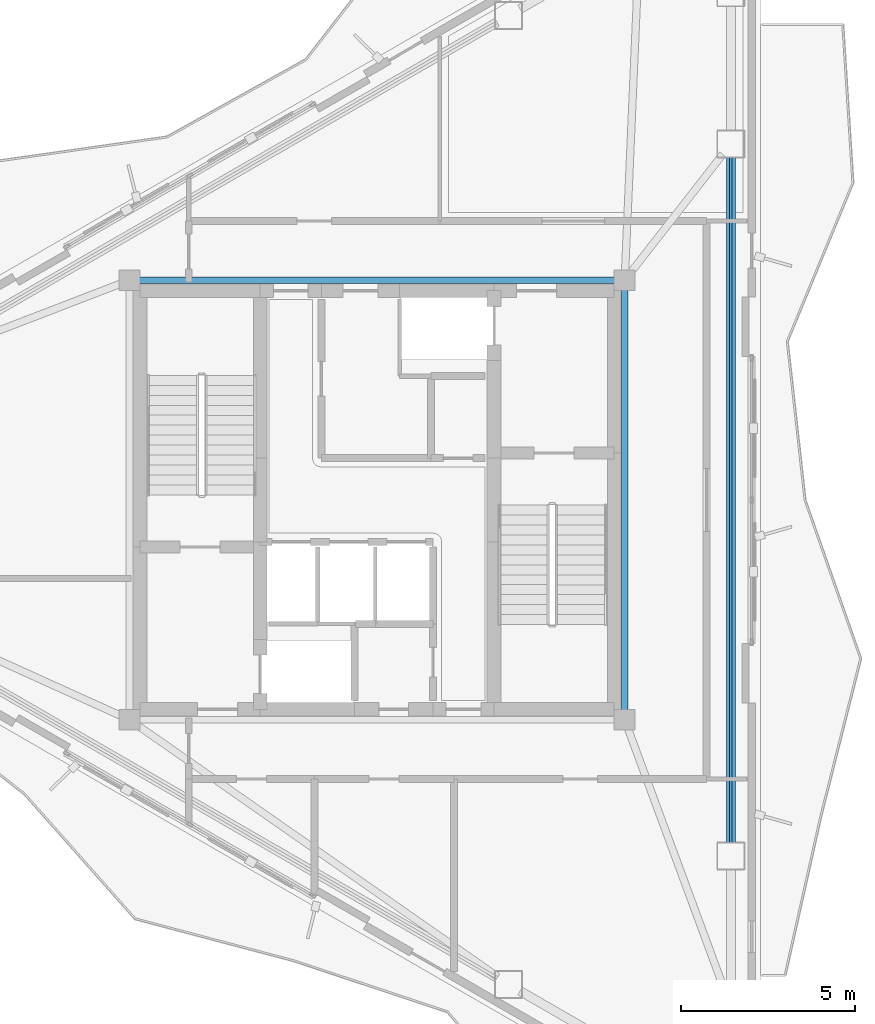
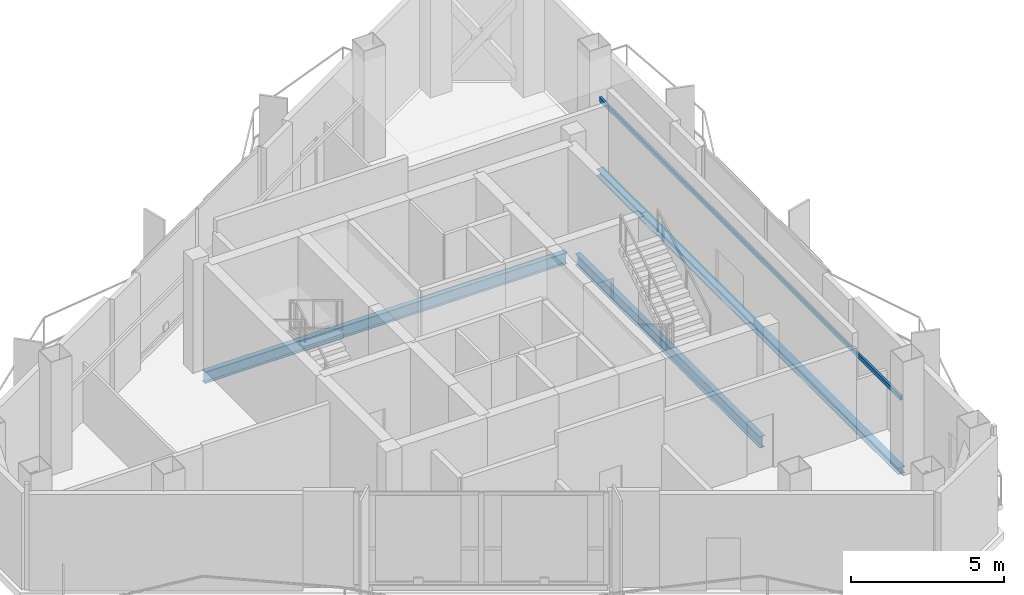
# One storey, part 7 of 14: 4 beams.
"""IFC4 building model written with IfcOpenShell, lengths in metres."""

from ifc_helpers import new_model, si_unit, direction, frame, origin, origin_2d, place, context, subcontext, project, spatial, hollow_rectangle, i_section, extrude, material, material_profile, profile_set, type_object, element, save


model = new_model("IFC4")

# Units and contexts
model_context = context("Model", 3, precision=1e-05, world=origin(), true_north=direction((0.0, 1.0)))
body_context = subcontext(model_context, "Body", "Model", "MODEL_VIEW")
ifc_project = project(units=[si_unit("LENGTHUNIT", "METRE"), si_unit("AREAUNIT", "SQUARE_METRE"), si_unit("VOLUMEUNIT", "CUBIC_METRE"), si_unit("PLANEANGLEUNIT", "RADIAN"), si_unit("MASSUNIT", "GRAM", prefix="KILO")], contexts=[model_context])

# Site, building, storey
site_placement = place(None, origin())
site = spatial("IfcSite", under=ifc_project, at=site_placement, CompositionType="ELEMENT")
building_placement = place(site_placement, origin())
building = spatial("IfcBuilding", under=site, at=building_placement, Name="Mersakhor Tower and Convention Hall", CompositionType="ELEMENT")
storey_placement = place(building_placement, frame((0.0, 0.0, 249.60009765625)))
storey = spatial("IfcBuildingStorey", under=building, at=storey_placement, Name="L70", CompositionType="ELEMENT", Elevation=249.60009765625)

# Beams
ifc_material_1 = material(Name="Steel S355", Category="steel")
ifc_material_profile_1 = material_profile(ifc_material_1, i_section(OverallWidth=0.19140625, OverallDepth=0.4599609375, WebThickness=0.010009765625, FlangeThickness=0.01611328125, at=origin_2d()), Name="UB 457x191x82")
ifc_profile_set_1 = profile_set([ifc_material_profile_1], Name="Steel S355")
beam_type_1 = type_object("IfcBeamType", Name="BM-FB-457", PredefinedType="BEAM", material=ifc_profile_set_1)
beam_1_placement = place(storey_placement, frame((22.179931640625, 33.050048828125, -0.510009765625), z_axis=(1.0, 0.0, 0.0), x_axis=(0.0, 1.0, 0.0)))
element("IfcBeam", 1, at=beam_1_placement, inside=storey, type_object=beam_type_1, Name="L70 Core Ring Tie Beam CRB-2", PredefinedType="BEAM", context=body_context, shape_type="SweptSolid", body=[
    extrude(i_section(OverallWidth=0.19140625, OverallDepth=0.4599609375, WebThickness=0.010009765625, FlangeThickness=0.01611328125, at=origin_2d()), origin(), (0.0, 0.0, 1.0), 13.64013671875),
])
beam_2_placement = place(storey_placement, frame((36.10009765625, 32.77001953125, -0.510009765625), z_axis=(0.0, -1.0, 0.0), x_axis=(1.0, 0.0, 0.0)))
element("IfcBeam", 2, at=beam_2_placement, inside=storey, type_object=beam_type_1, Name="L70 Core Ring Tie Beam CRB-3", PredefinedType="BEAM", context=body_context, shape_type="SweptSolid", body=[
    extrude(i_section(OverallWidth=0.19140625, OverallDepth=0.4599609375, WebThickness=0.010009765625, FlangeThickness=0.01611328125, at=origin_2d()), origin(), (0.0, 0.0, 1.0), 12.0400390625),
])
ifc_material_2 = material(Name="Steel S355", Category="steel")
ifc_material_profile_2 = material_profile(ifc_material_2, hollow_rectangle(XDim=0.080078125, YDim=0.179931640625, WallThickness=0.008056640625, at=origin_2d()), Name="RHS 180x80x8")
ifc_profile_set_2 = profile_set([ifc_material_profile_2], Name="Steel S355")
beam_type_2 = type_object("IfcBeamType", Name="BM-GRT-RHS180", PredefinedType="USERDEFINED", material=ifc_profile_set_2)
beam_3_placement = place(storey_placement, frame((39.142822265625, 36.580810546875, 2.47998046875), z_axis=(0.0, -1.0, 0.0), x_axis=(1.0, 0.0, 0.0)))
element("IfcBeam", 3, at=beam_3_placement, inside=storey, type_object=beam_type_2, Name="L70 Facade Support Girt GRT-F2", ObjectType="GIRT", PredefinedType="USERDEFINED", context=body_context, shape_type="SweptSolid", body=[
    extrude(hollow_rectangle(XDim=0.080078125, YDim=0.179931640625, WallThickness=0.008056640625, at=origin_2d()), origin(), (0.0, 0.0, 1.0), 19.66162109375),
])
ifc_material_3 = material(Name="Steel S355", Category="steel")
ifc_material_profile_3 = material_profile(ifc_material_3, i_section(OverallWidth=0.25634765625, OverallDepth=0.26025390625, WebThickness=0.01025390625, FlangeThickness=0.017333984375, at=origin_2d()), Name="UC 254x254x89")
ifc_profile_set_3 = profile_set([ifc_material_profile_3], Name="Steel S355")
beam_type_3 = type_object("IfcBeamType", Name="BM-SPD-UC254", PredefinedType="SPANDREL", material=ifc_profile_set_3)
beam_4_placement = place(storey_placement, frame((39.142822265625, 36.580810546875, -0.41015625), z_axis=(0.0, -1.0, 0.0), x_axis=(1.0, 0.0, 0.0)))
element("IfcBeam", 4, at=beam_4_placement, inside=storey, type_object=beam_type_3, Name="L70 Perimeter Spandrel Beam SPB-06", PredefinedType="SPANDREL", context=body_context, shape_type="SweptSolid", body=[
    extrude(i_section(OverallWidth=0.25634765625, OverallDepth=0.26025390625, WebThickness=0.01025390625, FlangeThickness=0.017333984375, at=origin_2d()), origin(), (0.0, 0.0, 1.0), 19.66162109375),
])

save(model, "model.ifc")
